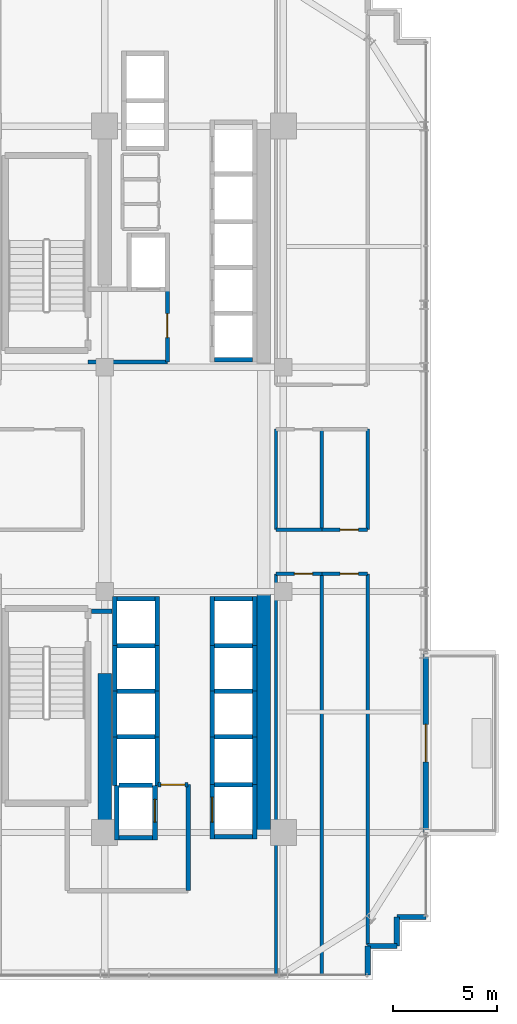
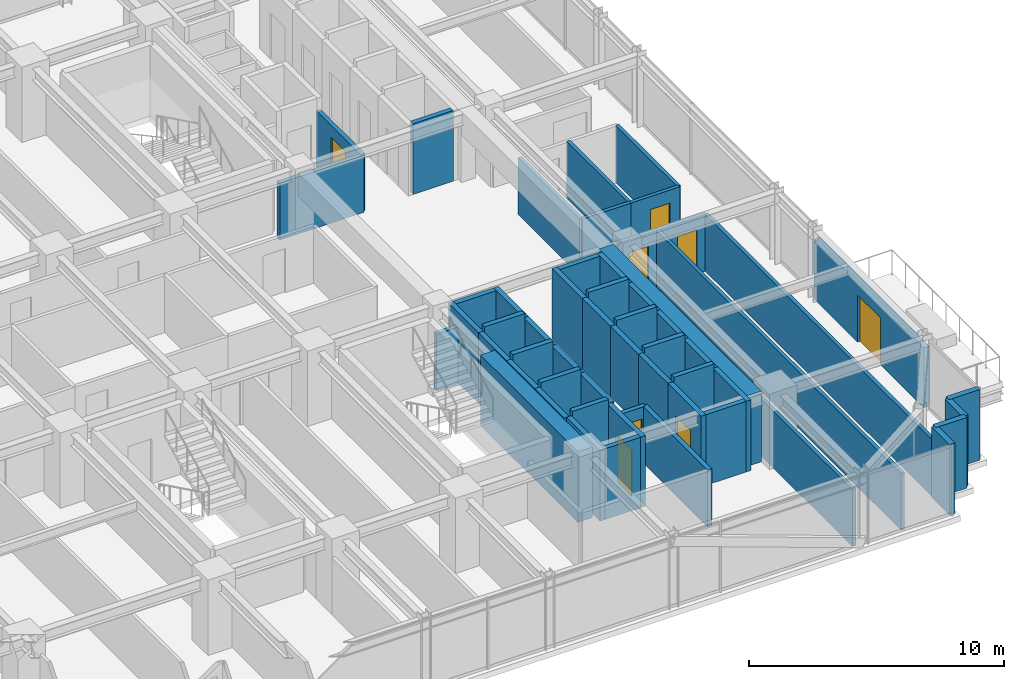
# One storey, part 28 of 34: 55 walls, 8 doors, 8 openings.
"""IFC4 building model written with IfcOpenShell, lengths in metres."""

import ifcopenshell
import ifcopenshell.guid

model = None  # the IFC model being written
_history = None  # IfcOwnerHistory: only IFC2X3 demands one
_inside = {}  # id of a spatial element -> (the spatial element, [elements in it])
_under = {}  # id of a project, library or spatial element -> (it, [spatial elements below it])
_declared = {}  # id of a project -> (the project, [libraries it declares])
_typed = {}  # id of a type object -> (the type object, [elements of that type])
_made_of = {}  # id of a material, layer set ... -> (it, [elements and type objects made of it])


def new_model(schema):
    """Start an empty IFC model of exactly this schema.

    Asked for "IFC4X3", IfcOpenShell would pick the latest addendum, in which some entities
    have other attributes; the version numbers below select the first issue.
    IFC2X3 requires an IfcOwnerHistory on every rooted entity: one is made here for all.
    """
    global model, _history
    if schema == "IFC4X3":
        model = ifcopenshell.file(schema_version=(4, 3, 0, 0))
    else:
        model = ifcopenshell.file(schema=schema)
    _inside.clear()
    _under.clear()
    _declared.clear()
    _typed.clear()
    _made_of.clear()
    _history = None
    if model.schema == "IFC2X3":
        org = make("IfcOrganization", Name="unknown")
        user = make(
            "IfcPersonAndOrganization",
            ThePerson=make("IfcPerson", FamilyName="unknown"),
            TheOrganization=org,
        )
        app = make(
            "IfcApplication",
            ApplicationDeveloper=org,
            Version="unknown",
            ApplicationFullName="unknown",
            ApplicationIdentifier="unknown",
        )
        _history = make(
            "IfcOwnerHistory",
            OwningUser=user,
            OwningApplication=app,
            ChangeAction="ADDED",
            CreationDate=0,
        )
    return model


def make(cls, **values):
    """One entity of the class cls with the attributes given. An attribute that is None is left unset."""
    return model.create_entity(
        cls, **{name: value for name, value in values.items() if value is not None}
    )


def rooted(cls, **values):
    """An entity with a GlobalId (a new one), such as an element, a storey or a relation."""
    return make(cls, GlobalId=ifcopenshell.guid.new(), OwnerHistory=_history, **values)


def si_unit(unit_type, name, prefix=None):
    """IfcSIUnit, for example si_unit("LENGTHUNIT", "METRE", prefix="MILLI")."""
    return make("IfcSIUnit", UnitType=unit_type, Prefix=prefix, Name=name)


def assignment(units):
    """IfcUnitAssignment: the units of a project."""
    return None if units is None else make("IfcUnitAssignment", Units=units)


def point(xyz):
    """IfcCartesianPoint."""
    return None if xyz is None else make("IfcCartesianPoint", Coordinates=xyz)


def direction(xyz):
    """IfcDirection."""
    return None if xyz is None else make("IfcDirection", DirectionRatios=xyz)


def frame(location, z_axis=None, x_axis=None):
    """IfcAxis2Placement3D, a coordinate frame: its origin and axes. An axis left out is left unset."""
    return make(
        "IfcAxis2Placement3D",
        Location=point(location),
        Axis=direction(z_axis),
        RefDirection=direction(x_axis),
    )


def frame_2d(location, x_axis=None):
    """IfcAxis2Placement2D, a coordinate frame in the plane: its origin and x axis."""
    return make(
        "IfcAxis2Placement2D", Location=point(location), RefDirection=direction(x_axis)
    )


def origin():
    """The frame at (0, 0, 0) with its axes left unset."""
    return frame((0.0, 0.0, 0.0))


def place(relative_to, where):
    """IfcLocalPlacement: puts the frame where relative to a parent placement (None: the world)."""
    return make(
        "IfcLocalPlacement", PlacementRelTo=relative_to, RelativePlacement=where
    )


def context(
    kind, dimensions, precision=None, world=None, true_north=None, identifier=None
):
    """IfcGeometricRepresentationContext, for example the 3D "Model" context."""
    return make(
        "IfcGeometricRepresentationContext",
        ContextIdentifier=identifier,
        ContextType=kind,
        CoordinateSpaceDimension=dimensions,
        Precision=precision,
        WorldCoordinateSystem=world,
        TrueNorth=true_north,
    )


def subcontext(parent, identifier, kind, view, scale=None):
    """IfcGeometricRepresentationSubContext, for example "Body" below "Model"."""
    return make(
        "IfcGeometricRepresentationSubContext",
        ContextIdentifier=identifier,
        ContextType=kind,
        ParentContext=parent,
        TargetScale=scale,
        TargetView=view,
    )


def project(units=None, contexts=None):
    """IfcProject with its units and contexts."""
    return rooted(
        "IfcProject",
        Name="project",
        RepresentationContexts=contexts,
        UnitsInContext=assignment(units),
    )


def spatial(cls, under=None, at=None, **own):
    """A site, building, storey or space (cls), placed at a placement, below another one or the project."""
    s = rooted(cls, ObjectPlacement=at, **own)
    if under is not None:
        _under.setdefault(under.id(), (under, []))[1].append(s)
    return s


def profile(cls, at=None, kind="AREA", **sizes):
    """A parametric profile (cls). Its sizes go by their IFC names, for example OverallWidth=200.0."""
    return make(cls, ProfileType=kind, Position=at, **sizes)


def rectangle(**sizes):
    """IfcRectangleProfileDef."""
    return profile("IfcRectangleProfileDef", **sizes)


def extrude(swept, where, along, depth):
    """IfcExtrudedAreaSolid: the profile swept, set in the frame where, extruded along a direction by depth."""
    return make(
        "IfcExtrudedAreaSolid",
        SweptArea=swept,
        Position=where,
        ExtrudedDirection=direction(along),
        Depth=depth,
    )


def shape(context_of_items, identifier, shape_type, items):
    """IfcShapeRepresentation: the items that make up one representation, for example the "Body"."""
    return make(
        "IfcShapeRepresentation",
        ContextOfItems=context_of_items,
        RepresentationIdentifier=identifier,
        RepresentationType=shape_type,
        Items=items,
    )


def source(mapping_origin, context_of_items, identifier, shape_type, items):
    """IfcRepresentationMap: a shape defined once, which mapped items show again and again."""
    return make(
        "IfcRepresentationMap",
        MappingOrigin=mapping_origin,
        MappedRepresentation=shape(context_of_items, identifier, shape_type, items),
    )


def transform(
    local_origin,
    x_axis=None,
    y_axis=None,
    z_axis=None,
    scale=None,
    scale2=None,
    scale3=None,
    uniform=True,
):
    """IfcCartesianTransformationOperator3D, or its non-uniform kind. x_axis, y_axis, z_axis: its Axis1, 2, 3."""
    if uniform:
        return make(
            "IfcCartesianTransformationOperator3D",
            Axis1=direction(x_axis),
            Axis2=direction(y_axis),
            LocalOrigin=point(local_origin),
            Scale=scale,
            Axis3=direction(z_axis),
        )
    return make(
        "IfcCartesianTransformationOperator3DnonUniform",
        Axis1=direction(x_axis),
        Axis2=direction(y_axis),
        LocalOrigin=point(local_origin),
        Scale=scale,
        Axis3=direction(z_axis),
        Scale2=scale2,
        Scale3=scale3,
    )


def mapped(mapping_source, mapping_target):
    """IfcMappedItem: shows the shape of a source again, moved by a transform."""
    return make(
        "IfcMappedItem", MappingSource=mapping_source, MappingTarget=mapping_target
    )


def material(Name=None, Category=None):
    """IfcMaterial."""
    return make("IfcMaterial", Name=Name, Category=Category)


def layer(
    of_material, thickness, ventilated=None, Name=None, Category=None, Priority=None
):
    """IfcMaterialLayer: one layer of a wall or slab, of a material (None: an air gap)."""
    return make(
        "IfcMaterialLayer",
        Material=of_material,
        LayerThickness=thickness,
        IsVentilated=ventilated,
        Name=Name,
        Category=Category,
        Priority=Priority,
    )


def layer_set(layers, Name=None):
    """IfcMaterialLayerSet."""
    return make("IfcMaterialLayerSet", MaterialLayers=layers, LayerSetName=Name)


def made_of(thing, what):
    """Note that an element or type object is made of a material, layer set ...; save() writes the relation."""
    if what is not None:
        _made_of.setdefault(what.id(), (what, []))[1].append(thing)
    return thing


def type_object(cls, material=None, **own):
    """A type object (cls), such as IfcWallType, which elements share."""
    return made_of(rooted(cls, **own), material)


def element(
    cls,
    number,
    at=None,
    inside=None,
    cuts=None,
    type_object=None,
    material=None,
    context=None,
    identifier="Body",
    shape_type=None,
    held_by="IfcProductDefinitionShape",
    body=None,
    shapes=None,
    **own,
):
    """One element of the class cls, such as IfcWall. Its Tag is "e" and its number.

    at: its placement. inside: the storey or other place that contains it. cuts: it is an
    opening in that element (IfcRelVoidsElement). A single representation is given by context,
    identifier, shape_type and body (its items); several are given by shapes. held_by: the class
    of the entity that holds the representations. save() writes the other relations.
    """
    e = rooted(cls, Tag="e%d" % number, ObjectPlacement=at, **own)
    if body is not None:
        shapes = [shape(context, identifier, shape_type, body)]
    if shapes is not None:
        e.Representation = make(held_by, Representations=shapes)
    if inside is not None:
        _inside.setdefault(inside.id(), (inside, []))[1].append(e)
    if cuts is not None:
        rooted(
            "IfcRelVoidsElement", RelatingBuildingElement=cuts, RelatedOpeningElement=e
        )
    if type_object is not None:
        _typed.setdefault(type_object.id(), (type_object, []))[1].append(e)
    return made_of(e, material)


def fill(opening, filler):
    """IfcRelFillsElement: the door or window that sits in an opening."""
    return rooted(
        "IfcRelFillsElement",
        RelatingOpeningElement=opening,
        RelatedBuildingElement=filler,
    )


def aggregate(whole, parts):
    """IfcRelAggregates: a whole, such as a stair, and the parts it consists of."""
    return rooted("IfcRelAggregates", RelatingObject=whole, RelatedObjects=parts)


def save(model, path):
    """Write the relations noted so far, then the file.

    IfcRelAggregates (storeys below a building ...), IfcRelContainedInSpatialStructure (elements
    in a storey), IfcRelDefinesByType, IfcRelAssociatesMaterial and IfcRelDeclares: one each for
    every whole, place, type object, material and project.
    """
    for whole, parts in _under.values():
        aggregate(whole, parts)
    for where, things in _inside.values():
        rooted(
            "IfcRelContainedInSpatialStructure",
            RelatedElements=things,
            RelatingStructure=where,
        )
    for kind, things in _typed.values():
        rooted("IfcRelDefinesByType", RelatedObjects=things, RelatingType=kind)
    for what, things in _made_of.values():
        rooted("IfcRelAssociatesMaterial", RelatedObjects=things, RelatingMaterial=what)
    for by, libraries in _declared.values():
        rooted("IfcRelDeclares", RelatingContext=by, RelatedDefinitions=libraries)
    model.write(path)


model = new_model("IFC4")

# Units and contexts
model_context = context("Model", 3, precision=1e-05, world=origin(), true_north=direction((0.0, 1.0)))
body_context = subcontext(model_context, "Body", "Model", "MODEL_VIEW")
ifc_project = project(units=[si_unit("LENGTHUNIT", "METRE"), si_unit("AREAUNIT", "SQUARE_METRE"), si_unit("VOLUMEUNIT", "CUBIC_METRE"), si_unit("PLANEANGLEUNIT", "RADIAN"), si_unit("MASSUNIT", "GRAM", prefix="KILO")], contexts=[model_context])

# Site, building, storey
site_placement = place(None, origin())
site = spatial("IfcSite", under=ifc_project, at=site_placement, CompositionType="ELEMENT")
building_placement = place(site_placement, origin())
building = spatial("IfcBuilding", under=site, at=building_placement, Name="Nahalor Promenade Grand Hotel", CompositionType="ELEMENT")
storey_placement = place(building_placement, frame((0.0, 0.0, 99.25)))
storey = spatial("IfcBuildingStorey", under=building, at=storey_placement, Name="L24", CompositionType="ELEMENT", Elevation=99.25)

# Walls
ifc_material_1 = material(Name="Concrete B-60 (C50/60)", Category="concrete")
ifc_layer_1 = layer(ifc_material_1, 0.64990234375)
ifc_layer_set_1 = layer_set([ifc_layer_1], Name="Concrete B-60 (C50/60)")
wall_type_1 = type_object("IfcWallType", Name="Wall-CoreShear-650", PredefinedType="SHEAR", material=ifc_layer_set_1)
shared_shape_1 = source(origin(), body_context, "Body", "SweptSolid", [
    extrude(rectangle(XDim=7.64990234375, YDim=0.64990234375, at=frame_2d((3.824951171875, 0.0))), origin(), (0.0, 0.0, 1.0), 3.3798828125),
])
wall_1_placement = place(storey_placement, frame((8.39990234375, -17.0, 0.0), z_axis=(0.0, 0.0, 1.0), x_axis=(0.0, 1.0, 0.0)))
element("IfcWall", 1, at=wall_1_placement, inside=storey, type_object=wall_type_1, Name="CWALL-L24-SW", PredefinedType="SHEAR", context=body_context, shape_type="MappedRepresentation", body=[
    mapped(shared_shape_1, transform((0.0, 0.0, 0.0), scale=1.0)),
])
shared_shape_2 = source(origin(), body_context, "Body", "SweptSolid", [
    extrude(rectangle(XDim=11.60009765625, YDim=0.64990234375, at=frame_2d((5.800048828125, 0.0))), origin(), (0.0, 0.0, 1.0), 3.3798828125),
])
wall_2_placement = place(storey_placement, frame((16.050048828125, -17.0, 0.0), z_axis=(0.0, 0.0, 1.0), x_axis=(0.0, 1.0, 0.0)))
element("IfcWall", 2, at=wall_2_placement, inside=storey, type_object=wall_type_1, Name="CWALL-L24-SE", PredefinedType="SHEAR", context=body_context, shape_type="MappedRepresentation", body=[
    mapped(shared_shape_2, transform((0.0, 0.0, 0.0), scale=1.0)),
])
ifc_material_2 = material(Name="Concrete B-50 (C40/50)", Category="concrete")
ifc_layer_2 = layer(ifc_material_2, 0.219970703125)
ifc_layer_set_2 = layer_set([ifc_layer_2], Name="Concrete B-50 (C40/50)")
wall_type_2 = type_object("IfcWallType", Name="Wall-LiftShaft-220", PredefinedType="SHEAR", material=ifc_layer_set_2)
shared_shape_3 = source(origin(), body_context, "Body", "SweptSolid", [
    extrude(rectangle(XDim=1.820068359375, YDim=0.219970703125, at=frame_2d((0.91015625, 0.0))), origin(), (0.0, 0.0, 1.0), 3.64990234375),
])
for number, where, z_axis, x_axis, name in (
    (3, (13.68994140625, -8.0, 0.0), (0.0, 0.0, 1.0), (1.0, 0.0, 0.0), "L24 Lift PL6 Hoistway Wall N"),
    (4, (13.68994140625, -10.199951171875, 0.0), (0.0, 0.0, 1.0), (1.0, 0.0, 0.0), "L24 Lift PL7 Hoistway Wall N"),
    (5, (13.68994140625, -12.39990234375, 0.0), (0.0, 0.0, 1.0), (1.0, 0.0, 0.0), "L24 Lift PL8 Hoistway Wall N"),
    (6, (8.989990234375, -8.0, 0.0), (0.0, 0.0, 1.0), (1.0, 0.0, 0.0), "L24 Lift PL10 Hoistway Wall N"),
    (7, (8.989990234375, -10.199951171875, 0.0), (0.0, 0.0, 1.0), (1.0, 0.0, 0.0), "L24 Lift PL11 Hoistway Wall N"),
    (8, (8.989990234375, -12.39990234375, 0.0), (0.0, 0.0, 1.0), (1.0, 0.0, 0.0), "L24 Lift PL12 Hoistway Wall N"),
    (9, (13.68994140625, -14.699951171875, 0.0), (0.0, 0.0, 1.0), (1.0, 0.0, 0.0), "L24 Lift SV2 Hoistway Wall N"),
):
    element("IfcWall", number, at=place(storey_placement, frame(where, z_axis=z_axis, x_axis=x_axis)), inside=storey, type_object=wall_type_2, Name=name, PredefinedType="SHEAR", context=body_context, shape_type="MappedRepresentation", body=[
        mapped(shared_shape_3, transform((0.0, 0.0, 0.0), scale=1.0)),
    ])
shared_shape_4 = source(origin(), body_context, "Body", "SweptSolid", [
    extrude(rectangle(XDim=2.360107421875, YDim=0.219970703125, at=frame_2d((1.18017578125, 0.0))), origin(), (0.0, 0.0, 1.0), 3.3798828125),
])
for number, where, z_axis, x_axis, name in (
    (10, (13.580078125, -8.0, 0.0), (0.0, 0.0, 1.0), (0.0, 1.0, 0.0), "L24 Lift PL5 Hoistway Wall W"),
    (11, (15.6201171875, -8.0, 0.0), (0.0, 0.0, 1.0), (0.0, 1.0, 0.0), "L24 Lift PL5 Hoistway Wall E"),
    (12, (8.8798828125, -8.0, 0.0), (0.0, 0.0, 1.0), (0.0, 1.0, 0.0), "L24 Lift PL9 Hoistway Wall W"),
    (13, (10.919921875, -8.0, 0.0), (0.0, 0.0, 1.0), (0.0, 1.0, 0.0), "L24 Lift PL9 Hoistway Wall E"),
):
    element("IfcWall", number, at=place(storey_placement, frame(where, z_axis=z_axis, x_axis=x_axis)), inside=storey, type_object=wall_type_2, Name=name, PredefinedType="SHEAR", context=body_context, shape_type="MappedRepresentation", body=[
        mapped(shared_shape_4, transform((0.0, 0.0, 0.0), scale=1.0)),
    ])
shared_shape_5 = source(origin(), body_context, "Body", "SweptSolid", [
    extrude(rectangle(XDim=1.820068359375, YDim=0.219970703125, at=frame_2d((0.91015625, 0.0))), origin(), (0.0, 0.0, 1.0), 3.3798828125),
])
for number, where, z_axis, x_axis, name in (
    (14, (13.68994140625, 5.75, 0.0), (0.0, 0.0, 1.0), (1.0, 0.0, 0.0), "L24 Lift PL1 Hoistway Wall S"),
    (15, (13.68994140625, -5.75, 0.0), (0.0, 0.0, 1.0), (1.0, 0.0, 0.0), "L24 Lift PL5 Hoistway Wall N"),
    (16, (8.989990234375, -5.75, 0.0), (0.0, 0.0, 1.0), (1.0, 0.0, 0.0), "L24 Lift PL9 Hoistway Wall N"),
    (17, (13.68994140625, -17.199951171875, 0.0), (0.0, 0.0, 1.0), (1.0, 0.0, 0.0), "L24 Lift SV2 Hoistway Wall S"),
):
    element("IfcWall", number, at=place(storey_placement, frame(where, z_axis=z_axis, x_axis=x_axis)), inside=storey, type_object=wall_type_2, Name=name, PredefinedType="SHEAR", context=body_context, shape_type="MappedRepresentation", body=[
        mapped(shared_shape_5, transform((0.0, 0.0, 0.0), scale=1.0)),
    ])
shared_shape_6 = source(origin(), body_context, "Body", "SweptSolid", [
    extrude(rectangle(XDim=2.199951171875, YDim=0.219970703125, at=frame_2d((1.10009765625, 0.0))), origin(), (0.0, 0.0, 1.0), 3.3798828125),
])
for number, where, z_axis, x_axis, name in (
    (18, (13.580078125, -10.199951171875, 0.0), (0.0, 0.0, 1.0), (0.0, 1.0, 0.0), "L24 Lift PL6 Hoistway Wall W"),
    (19, (15.6201171875, -10.199951171875, 0.0), (0.0, 0.0, 1.0), (0.0, 1.0, 0.0), "L24 Lift PL6 Hoistway Wall E"),
    (20, (13.580078125, -12.39990234375, 0.0), (0.0, 0.0, 1.0), (0.0, 1.0, 0.0), "L24 Lift PL7 Hoistway Wall W"),
    (21, (15.6201171875, -12.39990234375, 0.0), (0.0, 0.0, 1.0), (0.0, 1.0, 0.0), "L24 Lift PL7 Hoistway Wall E"),
    (22, (8.8798828125, -10.199951171875, 0.0), (0.0, 0.0, 1.0), (0.0, 1.0, 0.0), "L24 Lift PL10 Hoistway Wall W"),
    (23, (10.919921875, -10.199951171875, 0.0), (0.0, 0.0, 1.0), (0.0, 1.0, 0.0), "L24 Lift PL10 Hoistway Wall E"),
    (24, (8.8798828125, -12.39990234375, 0.0), (0.0, 0.0, 1.0), (0.0, 1.0, 0.0), "L24 Lift PL11 Hoistway Wall W"),
    (25, (10.919921875, -12.39990234375, 0.0), (0.0, 0.0, 1.0), (0.0, 1.0, 0.0), "L24 Lift PL11 Hoistway Wall E"),
):
    element("IfcWall", number, at=place(storey_placement, frame(where, z_axis=z_axis, x_axis=x_axis)), inside=storey, type_object=wall_type_2, Name=name, PredefinedType="SHEAR", context=body_context, shape_type="MappedRepresentation", body=[
        mapped(shared_shape_6, transform((0.0, 0.0, 0.0), scale=1.0)),
    ])
shared_shape_7 = source(origin(), body_context, "Body", "SweptSolid", [
    extrude(rectangle(XDim=2.300048828125, YDim=0.219970703125, at=frame_2d((1.14990234375, 0.0))), origin(), (0.0, 0.0, 1.0), 3.3798828125),
])
for number, where, z_axis, x_axis, name in (
    (26, (13.580078125, -14.699951171875, 0.0), (0.0, 0.0, 1.0), (0.0, 1.0, 0.0), "L24 Lift PL8 Hoistway Wall W"),
    (27, (15.6201171875, -14.699951171875, 0.0), (0.0, 0.0, 1.0), (0.0, 1.0, 0.0), "L24 Lift PL8 Hoistway Wall E"),
):
    element("IfcWall", number, at=place(storey_placement, frame(where, z_axis=z_axis, x_axis=x_axis)), inside=storey, type_object=wall_type_2, Name=name, PredefinedType="SHEAR", context=body_context, shape_type="MappedRepresentation", body=[
        mapped(shared_shape_7, transform((0.0, 0.0, 0.0), scale=1.0)),
    ])
shared_shape_8 = source(origin(), body_context, "Body", "SweptSolid", [
    extrude(rectangle(XDim=2.3251953125, YDim=0.219970703125, at=frame_2d((1.16259765625, 0.0))), origin(), (0.0, 0.0, 1.0), 3.3798828125),
])
for number, where, z_axis, x_axis, name in (
    (28, (8.8798828125, -14.72509765625, 0.0), (0.0, 0.0, 1.0), (0.0, 1.0, 0.0), "L24 Lift PL12 Hoistway Wall W"),
    (29, (10.919921875, -14.72509765625, 0.0), (0.0, 0.0, 1.0), (0.0, 1.0, 0.0), "L24 Lift PL12 Hoistway Wall E"),
):
    element("IfcWall", number, at=place(storey_placement, frame(where, z_axis=z_axis, x_axis=x_axis)), inside=storey, type_object=wall_type_2, Name=name, PredefinedType="SHEAR", context=body_context, shape_type="MappedRepresentation", body=[
        mapped(shared_shape_8, transform((0.0, 0.0, 0.0), scale=1.0)),
    ])
shared_shape_9 = source(origin(), body_context, "Body", "SweptSolid", [
    extrude(rectangle(XDim=1.619873046875, YDim=0.219970703125, at=frame_2d((0.81005859375, 0.0))), origin(), (0.0, 0.0, 1.0), 3.64990234375),
])
wall_3_placement = place(storey_placement, frame((9.090087890625, -14.72509765625, 0.0), z_axis=(0.0, 0.0, 1.0), x_axis=(1.0, 0.0, 0.0)))
element("IfcWall", 30, at=wall_3_placement, inside=storey, type_object=wall_type_2, Name="L24 Lift FL2 Hoistway Wall N", PredefinedType="SHEAR", context=body_context, shape_type="MappedRepresentation", body=[
    mapped(shared_shape_9, transform((0.0, 0.0, 0.0), scale=1.0)),
])
shared_shape_10 = source(origin(), body_context, "Body", "SweptSolid", [
    extrude(rectangle(XDim=2.635009765625, YDim=0.219970703125, at=frame_2d((1.3173828125, 0.0))), origin(), (0.0, 0.0, 1.0), 3.3798828125),
])
wall_4_placement = place(storey_placement, frame((8.97998046875, -17.360107421875, 0.0), z_axis=(0.0, 0.0, 1.0), x_axis=(0.0, 1.0, 0.0)))
element("IfcWall", 31, at=wall_4_placement, inside=storey, type_object=wall_type_2, Name="L24 Lift FL2 Hoistway Wall W", PredefinedType="SHEAR", context=body_context, shape_type="MappedRepresentation", body=[
    mapped(shared_shape_10, transform((0.0, 0.0, 0.0), scale=1.0)),
])

# Wall, opening, door
wall_5_placement = place(storey_placement, frame((10.820068359375, -17.360107421875, 0.0), z_axis=(0.0, 0.0, 1.0), x_axis=(0.0, 1.0, 0.0)))
wall_5 = element("IfcWall", 32, at=wall_5_placement, inside=storey, type_object=wall_type_2, Name="L24 Lift FL2 Hoistway Wall E", PredefinedType="SHEAR", context=body_context, shape_type="MappedRepresentation", body=[
    mapped(shared_shape_10, transform((0.0, 0.0, 0.0), scale=1.0)),
])
opening_1_placement = place(wall_5_placement, frame((0.860107421875, 0.0, 0.0)))
opening_1 = element("IfcOpeningElement", 33, at=opening_1_placement, cuts=wall_5, Name="Opening LD-02", PredefinedType="OPENING", context=body_context, shape_type="SweptSolid", body=[
    extrude(rectangle(XDim=1.10009765625, YDim=2.199951171875, at=frame_2d((0.550048828125, 1.10009765625))), frame((0.0, 0.119873046875, 0.0), z_axis=(0.0, -1.0, 0.0), x_axis=(1.0, 0.0, 0.0)), (0.0, 0.0, 1.0), 0.239990234375),
])
ifc_material_3 = material(Name="Steel S355JR", Category="steel")
door_type_1 = type_object("IfcDoorType", Name="Door-LiftFF-1100", OperationType="DOUBLE_DOOR_SLIDING", PredefinedType="DOOR", material=ifc_material_3)
shared_shape_11 = source(origin(), body_context, "Body", "SweptSolid", [
    extrude(rectangle(XDim=1.10009765625, YDim=2.199951171875, at=frame_2d((0.550048828125, 1.10009765625))), frame((0.0, 0.02490234375, 0.0), z_axis=(0.0, -1.0, 0.0), x_axis=(1.0, 0.0, 0.0)), (0.0, 0.0, 1.0), 0.050048828125),
])
door_1_placement = place(opening_1_placement, frame((1.10009765625, 0.0, 0.0), z_axis=(0.0, 0.0, 1.0), x_axis=(-1.0, 0.0, 0.0)))
door_1 = element("IfcDoor", 34, at=door_1_placement, inside=storey, type_object=door_type_1, Name="DR-LIFT-FL2-L24", OperationType="DOUBLE_DOOR_SLIDING", OverallHeight=2.199951171875, OverallWidth=1.10009765625, PredefinedType="DOOR", context=body_context, shape_type="MappedRepresentation", body=[
    mapped(shared_shape_11, transform((0.0, 0.0, 0.0), scale=1.0)),
])
fill(opening_1, door_1)

# Wall
shared_shape_12 = source(origin(), body_context, "Body", "SweptSolid", [
    extrude(rectangle(XDim=1.619873046875, YDim=0.219970703125, at=frame_2d((0.81005859375, 0.0))), origin(), (0.0, 0.0, 1.0), 3.3798828125),
])
wall_6_placement = place(storey_placement, frame((9.090087890625, -17.25, 0.0), z_axis=(0.0, 0.0, 1.0), x_axis=(1.0, 0.0, 0.0)))
element("IfcWall", 35, at=wall_6_placement, inside=storey, type_object=wall_type_2, Name="L24 Lift FL2 Hoistway Wall S", PredefinedType="SHEAR", context=body_context, shape_type="MappedRepresentation", body=[
    mapped(shared_shape_12, transform((0.0, 0.0, 0.0), scale=1.0)),
])

# Wall, opening, door
shared_shape_13 = source(origin(), body_context, "Body", "SweptSolid", [
    extrude(rectangle(XDim=2.610107421875, YDim=0.219970703125, at=frame_2d((1.30517578125, 0.0))), origin(), (0.0, 0.0, 1.0), 3.3798828125),
])
wall_7_placement = place(storey_placement, frame((13.580078125, -17.31005859375, 0.0), z_axis=(0.0, 0.0, 1.0), x_axis=(0.0, 1.0, 0.0)))
wall_7 = element("IfcWall", 36, at=wall_7_placement, inside=storey, type_object=wall_type_2, Name="L24 Lift SV2 Hoistway Wall W", PredefinedType="SHEAR", context=body_context, shape_type="MappedRepresentation", body=[
    mapped(shared_shape_13, transform((0.0, 0.0, 0.0), scale=1.0)),
])
opening_2_placement = place(wall_7_placement, frame((0.81005859375, 0.0, 0.0)))
opening_2 = element("IfcOpeningElement", 37, at=opening_2_placement, cuts=wall_7, Name="Opening LD-03", PredefinedType="OPENING", context=body_context, shape_type="SweptSolid", body=[
    extrude(rectangle(XDim=1.199951171875, YDim=2.199951171875, at=frame_2d((0.60009765625, 1.10009765625))), frame((0.0, 0.119873046875, 0.0), z_axis=(0.0, -1.0, 0.0), x_axis=(1.0, 0.0, 0.0)), (0.0, 0.0, 1.0), 0.239990234375),
])
door_type_2 = type_object("IfcDoorType", Name="Door-LiftService-1200", OperationType="DOUBLE_DOOR_SLIDING", PredefinedType="DOOR", material=ifc_material_3)
shared_shape_14 = source(origin(), body_context, "Body", "SweptSolid", [
    extrude(rectangle(XDim=1.199951171875, YDim=2.199951171875, at=frame_2d((0.60009765625, 1.10009765625))), frame((0.0, 0.02490234375, 0.0), z_axis=(0.0, -1.0, 0.0), x_axis=(1.0, 0.0, 0.0)), (0.0, 0.0, 1.0), 0.050048828125),
])
door_2_placement = place(opening_2_placement, origin())
door_2 = element("IfcDoor", 38, at=door_2_placement, inside=storey, type_object=door_type_2, Name="DR-LIFT-SV2-L24", OperationType="DOUBLE_DOOR_SLIDING", OverallHeight=2.199951171875, OverallWidth=1.199951171875, PredefinedType="DOOR", context=body_context, shape_type="MappedRepresentation", body=[
    mapped(shared_shape_14, transform((0.0, 0.0, 0.0), scale=1.0)),
])
fill(opening_2, door_2)

# Walls
wall_8_placement = place(storey_placement, frame((15.6201171875, -17.31005859375, 0.0), z_axis=(0.0, 0.0, 1.0), x_axis=(0.0, 1.0, 0.0)))
element("IfcWall", 39, at=wall_8_placement, inside=storey, type_object=wall_type_2, Name="L24 Lift SV2 Hoistway Wall E", PredefinedType="SHEAR", context=body_context, shape_type="MappedRepresentation", body=[
    mapped(shared_shape_13, transform((0.0, 0.0, 0.0), scale=1.0)),
])
ifc_material_4 = material(Name="Concrete B-40 (C32/40)", Category="concrete")
ifc_layer_3 = layer(ifc_material_4, 0.25)
ifc_layer_set_3 = layer_set([ifc_layer_3], Name="Concrete B-40 (C32/40)")
wall_type_3 = type_object("IfcWallType", Name="Wall-BronzePier-250", PredefinedType="STANDARD", material=ifc_layer_set_3)
shared_shape_15 = source(origin(), body_context, "Body", "SweptSolid", [
    extrude(rectangle(XDim=1.400146484375, YDim=0.25, at=frame_2d((0.7001953125, 0.0))), origin(), (0.0, 0.0, 1.0), 3.3798828125),
])
for number, where, z_axis, x_axis, name in (
    (40, (21.06005859375, -23.860107421875, 0.0), (0.0, 0.0, 1.0), (0.0, 1.0, 0.0), "W-L24-SR-01"),
    (41, (22.4599609375, -21.06005859375, 0.0), (0.0, 0.0, 1.0), (1.0, 0.0, 0.0), "W-L24-SR-04"),
):
    element("IfcWall", number, at=place(storey_placement, frame(where, z_axis=z_axis, x_axis=x_axis)), inside=storey, type_object=wall_type_3, Name=name, PredefinedType="STANDARD", context=body_context, shape_type="MappedRepresentation", body=[
        mapped(shared_shape_15, transform((0.0, 0.0, 0.0), scale=1.0)),
    ])
shared_shape_16 = source(origin(), body_context, "Body", "SweptSolid", [
    extrude(rectangle(XDim=1.39990234375, YDim=0.25, at=frame_2d((0.699951171875, 0.0))), origin(), (0.0, 0.0, 1.0), 3.3798828125),
])
for number, where, z_axis, x_axis, name in (
    (42, (21.06005859375, -22.4599609375, 0.0), (0.0, 0.0, 1.0), (1.0, 0.0, 0.0), "W-L24-SR-02"),
    (43, (22.4599609375, -22.4599609375, 0.0), (0.0, 0.0, 1.0), (0.0, 1.0, 0.0), "W-L24-SR-03"),
):
    element("IfcWall", number, at=place(storey_placement, frame(where, z_axis=z_axis, x_axis=x_axis)), inside=storey, type_object=wall_type_3, Name=name, PredefinedType="STANDARD", context=body_context, shape_type="MappedRepresentation", body=[
        mapped(shared_shape_16, transform((0.0, 0.0, 0.0), scale=1.0)),
    ])

# Wall, opening, door
ifc_layer_4 = layer(ifc_material_4, 0.260009765625)
ifc_layer_set_4 = layer_set([ifc_layer_4], Name="Concrete B-40 (C32/40)")
wall_type_4 = type_object("IfcWallType", Name="Wall-BalconyWall-260", PredefinedType="STANDARD", material=ifc_layer_set_4)
shared_shape_17 = source(origin(), body_context, "Body", "SweptSolid", [
    extrude(rectangle(XDim=8.60009765625, YDim=0.260009765625, at=frame_2d((4.300048828125, 0.0))), origin(), (0.0, 0.0, 1.0), 2.860107421875),
])
wall_9_placement = place(storey_placement, frame((23.860107421875, -17.0, 0.0), z_axis=(0.0, 0.0, 1.0), x_axis=(0.0, 1.0, 0.0)))
wall_9 = element("IfcWall", 44, at=wall_9_placement, inside=storey, type_object=wall_type_4, Name="W-L24-BALC-E-2", PredefinedType="STANDARD", context=body_context, shape_type="MappedRepresentation", body=[
    mapped(shared_shape_17, transform((0.0, 0.0, 0.0), scale=1.0)),
])
opening_3_placement = place(wall_9_placement, frame((3.39990234375, 0.0, 0.0)))
opening_3 = element("IfcOpeningElement", 45, at=opening_3_placement, cuts=wall_9, Name="Opening D-BC1", PredefinedType="OPENING", context=body_context, shape_type="SweptSolid", body=[
    extrude(rectangle(XDim=1.800048828125, YDim=2.25, at=frame_2d((0.89990234375, 1.125))), frame((0.0, 0.139892578125, 0.0), z_axis=(0.0, -1.0, 0.0), x_axis=(1.0, 0.0, 0.0)), (0.0, 0.0, 1.0), 0.280029296875),
])
ifc_material_5 = material(Name="Anodised Bronze Aluminium EN AW-6063 T6", Category="aluminium")
door_type_3 = type_object("IfcDoorType", Name="Door-BalconySlide-1800", OperationType="DOUBLE_DOOR_SLIDING", PredefinedType="DOOR", material=ifc_material_5)
shared_shape_18 = source(origin(), body_context, "Body", "SweptSolid", [
    extrude(rectangle(XDim=1.800048828125, YDim=2.25, at=frame_2d((0.89990234375, 1.125))), frame((0.0, 0.02490234375, 0.0), z_axis=(0.0, -1.0, 0.0), x_axis=(1.0, 0.0, 0.0)), (0.0, 0.0, 1.0), 0.050048828125),
])
door_3_placement = place(opening_3_placement, frame((1.800048828125, 0.0, 0.0), z_axis=(0.0, 0.0, 1.0), x_axis=(-1.0, 0.0, 0.0)))
door_3 = element("IfcDoor", 46, at=door_3_placement, inside=storey, type_object=door_type_3, Name="DR-L24-BALC-E-2", OperationType="DOUBLE_DOOR_SLIDING", OverallHeight=2.25, OverallWidth=1.800048828125, PredefinedType="DOOR", context=body_context, shape_type="MappedRepresentation", body=[
    mapped(shared_shape_18, transform((0.0, 0.0, 0.0), scale=1.0)),
])
fill(opening_3, door_3)

# Wall
ifc_layer_5 = layer(ifc_material_4, 0.199951171875)
ifc_layer_set_5 = layer_set([ifc_layer_5], Name="Concrete B-40 (C32/40)")
wall_type_5 = type_object("IfcWallType", Name="Wall-PartFire-200", PredefinedType="PARTITIONING", material=ifc_layer_set_5)
shared_shape_19 = source(origin(), body_context, "Body", "SweptSolid", [
    extrude(rectangle(XDim=3.81982421875, YDim=0.199951171875, at=frame_2d((1.909912109375, 0.0))), origin(), (0.0, 0.0, 1.0), 2.719970703125),
])
wall_10_placement = place(storey_placement, frame((7.60009765625, 5.64990234375, 0.0), z_axis=(0.0, 0.0, 1.0), x_axis=(1.0, 0.0, 0.0)))
element("IfcWall", 47, at=wall_10_placement, inside=storey, type_object=wall_type_5, Name="W-L24-FF1-S", PredefinedType="PARTITIONING", context=body_context, shape_type="MappedRepresentation", body=[
    mapped(shared_shape_19, transform((0.0, 0.0, 0.0), scale=1.0)),
])

# Wall, opening, door
shared_shape_20 = source(origin(), body_context, "Body", "SweptSolid", [
    extrude(rectangle(XDim=3.5, YDim=0.199951171875, at=frame_2d((1.75, 0.0))), origin(), (0.0, 0.0, 1.0), 2.719970703125),
])
wall_11_placement = place(storey_placement, frame((11.419921875, 5.64990234375, 0.0), z_axis=(0.0, 0.0, 1.0), x_axis=(0.0, 1.0, 0.0)))
wall_11 = element("IfcWall", 48, at=wall_11_placement, inside=storey, type_object=wall_type_5, Name="W-L24-FF1-E", PredefinedType="PARTITIONING", context=body_context, shape_type="MappedRepresentation", body=[
    mapped(shared_shape_20, transform((0.0, 0.0, 0.0), scale=1.0)),
])
opening_4_placement = place(wall_11_placement, frame((1.175048828125, 0.0, 0.0)))
opening_4 = element("IfcOpeningElement", 49, at=opening_4_placement, cuts=wall_11, Name="Opening D-FF1", PredefinedType="OPENING", context=body_context, shape_type="SweptSolid", body=[
    extrude(rectangle(XDim=1.14990234375, YDim=2.14990234375, at=frame_2d((0.574951171875, 1.074951171875))), frame((0.0, 0.10986328125, 0.0), z_axis=(0.0, -1.0, 0.0), x_axis=(1.0, 0.0, 0.0)), (0.0, 0.0, 1.0), 0.219970703125),
])
door_type_4 = type_object("IfcDoorType", Name="Door-FFLobby-1150", OperationType="NOTDEFINED", PredefinedType="DOOR", material=ifc_material_3)
shared_shape_21 = source(origin(), body_context, "Body", "SweptSolid", [
    extrude(rectangle(XDim=1.14990234375, YDim=2.14990234375, at=frame_2d((0.574951171875, 1.074951171875))), frame((0.0, 0.02490234375, 0.0), z_axis=(0.0, -1.0, 0.0), x_axis=(1.0, 0.0, 0.0)), (0.0, 0.0, 1.0), 0.050048828125),
])
door_4_placement = place(opening_4_placement, frame((1.14990234375, 0.0, 0.0), z_axis=(0.0, 0.0, 1.0), x_axis=(-1.0, 0.0, 0.0)))
door_4 = element("IfcDoor", 50, at=door_4_placement, inside=storey, type_object=door_type_4, Name="DR-L24-FFL1", OperationType="SINGLE_SWING_LEFT", OverallHeight=2.14990234375, OverallWidth=1.14990234375, PredefinedType="DOOR", context=body_context, shape_type="MappedRepresentation", body=[
    mapped(shared_shape_21, transform((0.0, 0.0, 0.0), scale=1.0)),
])
fill(opening_4, door_4)

# Wall
shared_shape_22 = source(origin(), body_context, "Body", "SweptSolid", [
    extrude(rectangle(XDim=5.10009765625, YDim=0.199951171875, at=frame_2d((2.550048828125, 0.0))), origin(), (0.0, 0.0, 1.0), 2.719970703125),
])
wall_12_placement = place(storey_placement, frame((12.419921875, -19.800048828125, 0.0), z_axis=(0.0, 0.0, 1.0), x_axis=(0.0, 1.0, 0.0)))
element("IfcWall", 51, at=wall_12_placement, inside=storey, type_object=wall_type_5, Name="W-L24-FF2-E", PredefinedType="PARTITIONING", context=body_context, shape_type="MappedRepresentation", body=[
    mapped(shared_shape_22, transform((0.0, 0.0, 0.0), scale=1.0)),
])

# Wall, opening, door
shared_shape_23 = source(origin(), body_context, "Body", "SweptSolid", [
    extrude(rectangle(XDim=1.4599609375, YDim=0.199951171875, at=frame_2d((0.72998046875, 0.0))), origin(), (0.0, 0.0, 1.0), 2.719970703125),
])
wall_13_placement = place(storey_placement, frame((10.9599609375, -14.699951171875, 0.0), z_axis=(0.0, 0.0, 1.0), x_axis=(1.0, 0.0, 0.0)))
wall_13 = element("IfcWall", 52, at=wall_13_placement, inside=storey, type_object=wall_type_5, Name="W-L24-FF2-N1", PredefinedType="PARTITIONING", context=body_context, shape_type="MappedRepresentation", body=[
    mapped(shared_shape_23, transform((0.0, 0.0, 0.0), scale=1.0)),
])
opening_5_placement = place(wall_13_placement, frame((0.14501953125, 0.0, 0.0)))
opening_5 = element("IfcOpeningElement", 53, at=opening_5_placement, cuts=wall_13, Name="Opening D-FF1", PredefinedType="OPENING", context=body_context, shape_type="SweptSolid", body=[
    extrude(rectangle(XDim=1.14990234375, YDim=2.14990234375, at=frame_2d((0.574951171875, 1.074951171875))), frame((0.0, 0.10986328125, 0.0), z_axis=(0.0, -1.0, 0.0), x_axis=(1.0, 0.0, 0.0)), (0.0, 0.0, 1.0), 0.219970703125),
])
door_5_placement = place(opening_5_placement, origin())
door_5 = element("IfcDoor", 54, at=door_5_placement, inside=storey, type_object=door_type_4, Name="DR-L24-FFL2", OperationType="SINGLE_SWING_RIGHT", OverallHeight=2.14990234375, OverallWidth=1.14990234375, PredefinedType="DOOR", context=body_context, shape_type="MappedRepresentation", body=[
    mapped(shared_shape_21, transform((0.0, 0.0, 0.0), scale=1.0)),
])
fill(opening_5, door_5)

# Walls
shared_shape_24 = source(origin(), body_context, "Body", "SweptSolid", [
    extrude(rectangle(XDim=0.969970703125, YDim=0.199951171875, at=frame_2d((0.48486328125, 0.0))), origin(), (0.0, 0.0, 1.0), 2.719970703125),
])
wall_14_placement = place(storey_placement, frame((7.77001953125, -6.35009765625, 0.0), z_axis=(0.0, 0.0, 1.0), x_axis=(1.0, 0.0, 0.0)))
element("IfcWall", 55, at=wall_14_placement, inside=storey, type_object=wall_type_5, Name="W-L24-FF2-N2", PredefinedType="PARTITIONING", context=body_context, shape_type="MappedRepresentation", body=[
    mapped(shared_shape_24, transform((0.0, 0.0, 0.0), scale=1.0)),
])
ifc_material_6 = material(Name="Acoustic Mineral Gypsum", Category="gypsum")
ifc_layer_6 = layer(ifc_material_6, 0.159912109375)
ifc_layer_set_6 = layer_set([ifc_layer_6], Name="Acoustic Mineral Gypsum")
wall_type_6 = type_object("IfcWallType", Name="Wall-PartCorridor-160", PredefinedType="PARTITIONING", material=ifc_layer_set_6)
shared_shape_25 = source(origin(), body_context, "Body", "SweptSolid", [
    extrude(rectangle(XDim=19.25, YDim=0.159912109375, at=frame_2d((9.625, 0.0))), origin(), (0.0, 0.0, 1.0), 2.719970703125),
])
for number, where, z_axis, x_axis, name in (
    (56, (16.64990234375, -23.800048828125, 0.0), (0.0, 0.0, 1.0), (0.0, 1.0, 0.0), "W-L24-ESE1-W"),
    (57, (18.85498046875, -23.800048828125, 0.0), (0.0, 0.0, 1.0), (0.0, 1.0, 0.0), "W-L24-ESE1-E"),
):
    element("IfcWall", number, at=place(storey_placement, frame(where, z_axis=z_axis, x_axis=x_axis)), inside=storey, type_object=wall_type_6, Name=name, PredefinedType="PARTITIONING", context=body_context, shape_type="MappedRepresentation", body=[
        mapped(shared_shape_25, transform((0.0, 0.0, 0.0), scale=1.0)),
    ])
shared_shape_26 = source(origin(), body_context, "Body", "SweptSolid", [
    extrude(rectangle(XDim=17.829833984375, YDim=0.159912109375, at=frame_2d((8.9150390625, 0.0))), origin(), (0.0, 0.0, 1.0), 2.719970703125),
])
wall_15_placement = place(storey_placement, frame((21.06005859375, -22.3798828125, 0.0), z_axis=(0.0, 0.0, 1.0), x_axis=(0.0, 1.0, 0.0)))
element("IfcWall", 58, at=wall_15_placement, inside=storey, type_object=wall_type_6, Name="W-L24-ESE2-E", PredefinedType="PARTITIONING", context=body_context, shape_type="MappedRepresentation", body=[
    mapped(shared_shape_26, transform((0.0, 0.0, 0.0), scale=1.0)),
])
shared_shape_27 = source(origin(), body_context, "Body", "SweptSolid", [
    extrude(rectangle(XDim=4.83984375, YDim=0.159912109375, at=frame_2d((2.419921875, 0.0))), origin(), (0.0, 0.0, 1.0), 2.719970703125),
])
for number, where, z_axis, x_axis, name in (
    (59, (16.64990234375, -2.419921875, 0.0), (0.0, 0.0, 1.0), (0.0, 1.0, 0.0), "W-L24-ECW1-W"),
    (60, (18.85498046875, -2.419921875, 0.0), (0.0, 0.0, 1.0), (0.0, 1.0, 0.0), "W-L24-ECW1-E"),
    (61, (21.06005859375, -2.419921875, 0.0), (0.0, 0.0, 1.0), (0.0, 1.0, 0.0), "W-L24-ECW2-E"),
):
    element("IfcWall", number, at=place(storey_placement, frame(where, z_axis=z_axis, x_axis=x_axis)), inside=storey, type_object=wall_type_6, Name=name, PredefinedType="PARTITIONING", context=body_context, shape_type="MappedRepresentation", body=[
        mapped(shared_shape_27, transform((0.0, 0.0, 0.0), scale=1.0)),
    ])

# Wall, opening, door
shared_shape_28 = source(origin(), body_context, "Body", "SweptSolid", [
    extrude(rectangle(XDim=2.205078125, YDim=0.159912109375, at=frame_2d((1.1025390625, 0.0))), origin(), (0.0, 0.0, 1.0), 2.719970703125),
])
wall_16_placement = place(storey_placement, frame((16.64990234375, -4.550048828125, 0.0), z_axis=(0.0, 0.0, 1.0), x_axis=(1.0, 0.0, 0.0)))
wall_16 = element("IfcWall", 62, at=wall_16_placement, inside=storey, type_object=wall_type_6, Name="W-L24-ESE1-N", PredefinedType="PARTITIONING", context=body_context, shape_type="MappedRepresentation", body=[
    mapped(shared_shape_28, transform((0.0, 0.0, 0.0), scale=1.0)),
])
opening_6_placement = place(wall_16_placement, frame((0.875, 0.0, 0.0)))
opening_6 = element("IfcOpeningElement", 63, at=opening_6_placement, cuts=wall_16, Name="Opening D-03", PredefinedType="OPENING", context=body_context, shape_type="SweptSolid", body=[
    extrude(rectangle(XDim=0.8798828125, YDim=2.10009765625, at=frame_2d((0.43994140625, 1.050048828125))), frame((0.0, 0.08984375, 0.0), z_axis=(0.0, -1.0, 0.0), x_axis=(1.0, 0.0, 0.0)), (0.0, 0.0, 1.0), 0.179931640625),
])
ifc_material_7 = material(Name="Fire-Rated Timber Composite", Category="wood")
door_type_5 = type_object("IfcDoorType", Name="Door-BathSwing-880", OperationType="NOTDEFINED", PredefinedType="DOOR", material=ifc_material_7)
shared_shape_29 = source(origin(), body_context, "Body", "SweptSolid", [
    extrude(rectangle(XDim=0.8798828125, YDim=2.10009765625, at=frame_2d((0.43994140625, 1.050048828125))), frame((0.0, 0.02490234375, 0.0), z_axis=(0.0, -1.0, 0.0), x_axis=(1.0, 0.0, 0.0)), (0.0, 0.0, 1.0), 0.050048828125),
])
door_6_placement = place(opening_6_placement, frame((0.8798828125, 0.0, 0.0), z_axis=(0.0, 0.0, 1.0), x_axis=(-1.0, 0.0, 0.0)))
door_6 = element("IfcDoor", 64, at=door_6_placement, inside=storey, type_object=door_type_5, Name="DR-L24-ESE1", OperationType="SINGLE_SWING_RIGHT", OverallHeight=2.10009765625, OverallWidth=0.8798828125, PredefinedType="DOOR", context=body_context, shape_type="MappedRepresentation", body=[
    mapped(shared_shape_29, transform((0.0, 0.0, 0.0), scale=1.0)),
])
fill(opening_6, door_6)

wall_17_placement = place(storey_placement, frame((18.85498046875, -4.550048828125, 0.0), z_axis=(0.0, 0.0, 1.0), x_axis=(1.0, 0.0, 0.0)))
wall_17 = element("IfcWall", 65, at=wall_17_placement, inside=storey, type_object=wall_type_6, Name="W-L24-ESE2-N", PredefinedType="PARTITIONING", context=body_context, shape_type="MappedRepresentation", body=[
    mapped(shared_shape_28, transform((0.0, 0.0, 0.0), scale=1.0)),
])
opening_7_placement = place(wall_17_placement, frame((0.875, 0.0, 0.0)))
opening_7 = element("IfcOpeningElement", 66, at=opening_7_placement, cuts=wall_17, Name="Opening D-03", PredefinedType="OPENING", context=body_context, shape_type="SweptSolid", body=[
    extrude(rectangle(XDim=0.8798828125, YDim=2.10009765625, at=frame_2d((0.43994140625, 1.050048828125))), frame((0.0, 0.08984375, 0.0), z_axis=(0.0, -1.0, 0.0), x_axis=(1.0, 0.0, 0.0)), (0.0, 0.0, 1.0), 0.179931640625),
])
door_7_placement = place(opening_7_placement, frame((0.8798828125, 0.0, 0.0), z_axis=(0.0, 0.0, 1.0), x_axis=(-1.0, 0.0, 0.0)))
door_7 = element("IfcDoor", 67, at=door_7_placement, inside=storey, type_object=door_type_5, Name="DR-L24-ESE2", OperationType="SINGLE_SWING_LEFT", OverallHeight=2.10009765625, OverallWidth=0.8798828125, PredefinedType="DOOR", context=body_context, shape_type="MappedRepresentation", body=[
    mapped(shared_shape_29, transform((0.0, 0.0, 0.0), scale=1.0)),
])
fill(opening_7, door_7)

# Wall
wall_18_placement = place(storey_placement, frame((16.64990234375, -2.419921875, 0.0), z_axis=(0.0, 0.0, 1.0), x_axis=(1.0, 0.0, 0.0)))
element("IfcWall", 68, at=wall_18_placement, inside=storey, type_object=wall_type_6, Name="W-L24-ECW1-S", PredefinedType="PARTITIONING", context=body_context, shape_type="MappedRepresentation", body=[
    mapped(shared_shape_28, transform((0.0, 0.0, 0.0), scale=1.0)),
])

# Wall, opening, door
wall_19_placement = place(storey_placement, frame((18.85498046875, -2.419921875, 0.0), z_axis=(0.0, 0.0, 1.0), x_axis=(1.0, 0.0, 0.0)))
wall_19 = element("IfcWall", 69, at=wall_19_placement, inside=storey, type_object=wall_type_6, Name="W-L24-ECW2-S", PredefinedType="PARTITIONING", context=body_context, shape_type="MappedRepresentation", body=[
    mapped(shared_shape_28, transform((0.0, 0.0, 0.0), scale=1.0)),
])
opening_8_placement = place(wall_19_placement, frame((0.875, 0.0, 0.0)))
opening_8 = element("IfcOpeningElement", 70, at=opening_8_placement, cuts=wall_19, Name="Opening D-03", PredefinedType="OPENING", context=body_context, shape_type="SweptSolid", body=[
    extrude(rectangle(XDim=0.8798828125, YDim=2.10009765625, at=frame_2d((0.43994140625, 1.050048828125))), frame((0.0, 0.08984375, 0.0), z_axis=(0.0, -1.0, 0.0), x_axis=(1.0, 0.0, 0.0)), (0.0, 0.0, 1.0), 0.179931640625),
])
door_8_placement = place(opening_8_placement, origin())
door_8 = element("IfcDoor", 71, at=door_8_placement, inside=storey, type_object=door_type_5, Name="DR-L24-ECW2", OperationType="SINGLE_SWING_LEFT", OverallHeight=2.10009765625, OverallWidth=0.8798828125, PredefinedType="DOOR", context=body_context, shape_type="MappedRepresentation", body=[
    mapped(shared_shape_29, transform((0.0, 0.0, 0.0), scale=1.0)),
])
fill(opening_8, door_8)

save(model, "model.ifc")
